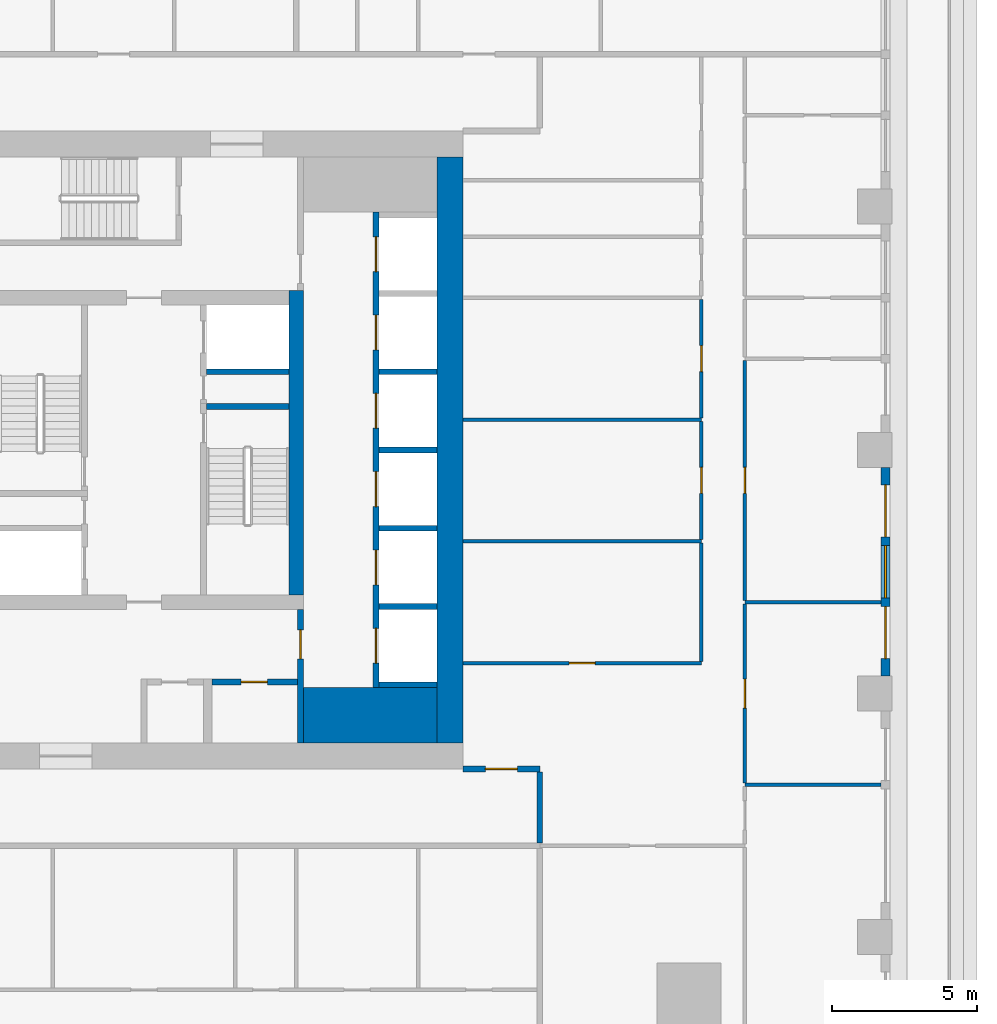
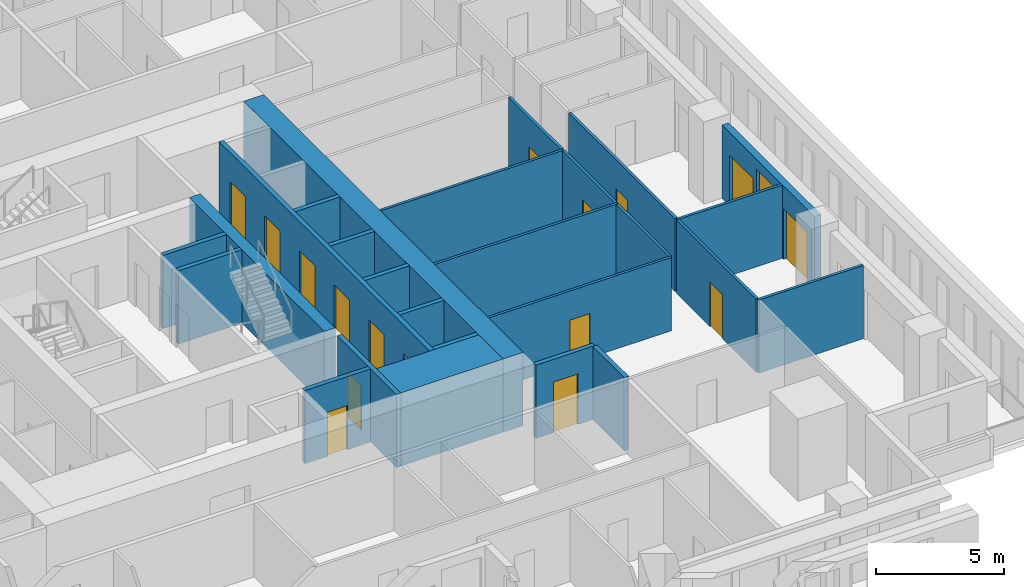
# One storey, part 6 of 16: 26 walls, 16 doors, 1 window, 17 openings.
"""IFC4 building model written with IfcOpenShell, lengths in metres."""

from ifc_helpers import new_model, si_unit, direction, frame, frame_2d, origin, place, context, subcontext, project, spatial, rectangle, extrude, material, layer, layer_set, type_object, element, fill, save


model = new_model("IFC4")

# Units and contexts
model_context = context("Model", 3, precision=1e-05, world=origin(), true_north=direction((0.0, 1.0)))
body_context = subcontext(model_context, "Body", "Model", "MODEL_VIEW")
ifc_project = project(units=[si_unit("LENGTHUNIT", "METRE"), si_unit("AREAUNIT", "SQUARE_METRE"), si_unit("VOLUMEUNIT", "CUBIC_METRE"), si_unit("PLANEANGLEUNIT", "RADIAN"), si_unit("MASSUNIT", "GRAM", prefix="KILO")], contexts=[model_context])

# Site, building, storey
site_placement = place(None, origin())
site = spatial("IfcSite", under=ifc_project, at=site_placement, CompositionType="ELEMENT")
building_placement = place(site_placement, origin())
building = spatial("IfcBuilding", under=site, at=building_placement, Name="Khepri Terraces", CompositionType="ELEMENT")
storey_placement = place(building_placement, frame((0.0, 0.0, 240.60009765625)))
storey = spatial("IfcBuildingStorey", under=building, at=storey_placement, Name="L57", CompositionType="ELEMENT", Elevation=240.60009765625)

# Walls
ifc_material_1 = material(Name="Concrete C40/50", Category="concrete")
ifc_layer_1 = layer(ifc_material_1, 1.89990234375, Name="Concrete C40/50", Category="concrete")
ifc_layer_set_1 = layer_set([ifc_layer_1], Name="Concrete C40/50")
wall_type_1 = type_object("IfcWallType", Name="Core wall 1900 C40/50", PredefinedType="SHEAR", material=ifc_layer_set_1)
wall_1_placement = place(storey_placement, frame((5.5, -9.14990234375, 0.0), z_axis=(0.0, 0.0, 1.0), x_axis=(1.0, 0.0, 0.0)))
element("IfcWall", 1, at=wall_1_placement, inside=storey, type_object=wall_type_1, Name="Core wall PR02 L57", PredefinedType="SHEAR", context=body_context, shape_type="SweptSolid", body=[
    extrude(rectangle(XDim=4.60009765625, YDim=1.89990234375, at=frame_2d((2.300048828125, 0.0))), origin(), (0.0, 0.0, 1.0), 3.47998046875),
])
ifc_layer_2 = layer(ifc_material_1, 0.199951171875, Name="Concrete C40/50", Category="concrete")
ifc_layer_set_2 = layer_set([ifc_layer_2], Name="Concrete C40/50")
wall_type_2 = type_object("IfcWallType", Name="Core wall 200 C40/50", PredefinedType="SHEAR", material=ifc_layer_set_2)
wall_2_placement = place(storey_placement, frame((2.14990234375, 1.5, 0.0), z_axis=(0.0, 0.0, 1.0), x_axis=(1.0, 0.0, 0.0)))
element("IfcWall", 2, at=wall_2_placement, inside=storey, type_object=wall_type_2, Name="Core wall ST04 L57", PredefinedType="SHEAR", context=body_context, shape_type="SweptSolid", body=[
    extrude(rectangle(XDim=2.85009765625, YDim=0.199951171875, at=frame_2d((1.425048828125, 0.0))), origin(), (0.0, 0.0, 1.0), 3.47998046875),
])

# Wall, openings, doors
wall_3_placement = place(storey_placement, frame((8.0, -8.199951171875, 0.0), z_axis=(0.0, 0.0, 1.0), x_axis=(0.0, 1.0, 0.0)))
wall_3 = element("IfcWall", 3, at=wall_3_placement, inside=storey, type_object=wall_type_2, Name="Core wall SH02 L57", PredefinedType="SHEAR", context=body_context, shape_type="SweptSolid", body=[
    extrude(rectangle(XDim=16.39990234375, YDim=0.199951171875, at=frame_2d((8.199951171875, 0.0))), origin(), (0.0, 0.0, 1.0), 3.47998046875),
])
opening_1_placement = place(wall_3_placement, frame((0.85009765625, 0.0, 0.0)))
opening_1 = element("IfcOpeningElement", 4, at=opening_1_placement, cuts=wall_3, Name="Opening L57-C01", PredefinedType="OPENING", context=body_context, shape_type="SweptSolid", body=[
    extrude(rectangle(XDim=1.199951171875, YDim=2.10009765625, at=frame_2d((0.60009765625, 1.050048828125))), frame((0.0, 0.10986328125, 0.0), z_axis=(0.0, -1.0, 0.0), x_axis=(1.0, 0.0, 0.0)), (0.0, 0.0, 1.0), 0.219970703125),
])
opening_2_placement = place(wall_3_placement, frame((3.550048828125, 0.0, 0.0)))
opening_2 = element("IfcOpeningElement", 5, at=opening_2_placement, cuts=wall_3, Name="Opening L57-C02", PredefinedType="OPENING", context=body_context, shape_type="SweptSolid", body=[
    extrude(rectangle(XDim=1.199951171875, YDim=2.10009765625, at=frame_2d((0.60009765625, 1.050048828125))), frame((0.0, 0.10986328125, 0.0), z_axis=(0.0, -1.0, 0.0), x_axis=(1.0, 0.0, 0.0)), (0.0, 0.0, 1.0), 0.219970703125),
])
opening_3_placement = place(wall_3_placement, frame((6.25, 0.0, 0.0)))
opening_3 = element("IfcOpeningElement", 6, at=opening_3_placement, cuts=wall_3, Name="Opening L57-C03", PredefinedType="OPENING", context=body_context, shape_type="SweptSolid", body=[
    extrude(rectangle(XDim=1.199951171875, YDim=2.10009765625, at=frame_2d((0.60009765625, 1.050048828125))), frame((0.0, 0.10986328125, 0.0), z_axis=(0.0, -1.0, 0.0), x_axis=(1.0, 0.0, 0.0)), (0.0, 0.0, 1.0), 0.219970703125),
])
opening_4_placement = place(wall_3_placement, frame((8.949951171875, 0.0, 0.0)))
opening_4 = element("IfcOpeningElement", 7, at=opening_4_placement, cuts=wall_3, Name="Opening L57-C04", PredefinedType="OPENING", context=body_context, shape_type="SweptSolid", body=[
    extrude(rectangle(XDim=1.199951171875, YDim=2.10009765625, at=frame_2d((0.60009765625, 1.050048828125))), frame((0.0, 0.10986328125, 0.0), z_axis=(0.0, -1.0, 0.0), x_axis=(1.0, 0.0, 0.0)), (0.0, 0.0, 1.0), 0.219970703125),
])
opening_5_placement = place(wall_3_placement, frame((11.64990234375, 0.0, 0.0)))
opening_5 = element("IfcOpeningElement", 8, at=opening_5_placement, cuts=wall_3, Name="Opening L57-C05", PredefinedType="OPENING", context=body_context, shape_type="SweptSolid", body=[
    extrude(rectangle(XDim=1.199951171875, YDim=2.10009765625, at=frame_2d((0.60009765625, 1.050048828125))), frame((0.0, 0.10986328125, 0.0), z_axis=(0.0, -1.0, 0.0), x_axis=(1.0, 0.0, 0.0)), (0.0, 0.0, 1.0), 0.219970703125),
])
opening_6_placement = place(wall_3_placement, frame((14.35009765625, 0.0, 0.0)))
opening_6 = element("IfcOpeningElement", 9, at=opening_6_placement, cuts=wall_3, Name="Opening L57-C06", PredefinedType="OPENING", context=body_context, shape_type="SweptSolid", body=[
    extrude(rectangle(XDim=1.199951171875, YDim=2.10009765625, at=frame_2d((0.60009765625, 1.050048828125))), frame((0.0, 0.10986328125, 0.0), z_axis=(0.0, -1.0, 0.0), x_axis=(1.0, 0.0, 0.0)), (0.0, 0.0, 1.0), 0.219970703125),
])
ifc_material_2 = material(Name="Stainless steel 304", Category="steel")
door_type_1 = type_object("IfcDoorType", Name="DR-CORE-LANDING-1200", OperationType="NOTDEFINED", PredefinedType="DOOR", material=ifc_material_2)
door_1_placement = place(opening_1_placement, origin())
door_1 = element("IfcDoor", 10, at=door_1_placement, inside=storey, type_object=door_type_1, Name="Lift landing door L57-C01", OperationType="SLIDING_TO_LEFT", OverallHeight=2.10009765625, OverallWidth=1.199951171875, PredefinedType="DOOR", context=body_context, shape_type="SweptSolid", body=[
    extrude(rectangle(XDim=1.199951171875, YDim=2.10009765625, at=frame_2d((0.60009765625, 1.050048828125))), frame((0.0, 0.02490234375, 0.0), z_axis=(0.0, -1.0, 0.0), x_axis=(1.0, 0.0, 0.0)), (0.0, 0.0, 1.0), 0.050048828125),
])
fill(opening_1, door_1)
door_2_placement = place(opening_2_placement, origin())
door_2 = element("IfcDoor", 11, at=door_2_placement, inside=storey, type_object=door_type_1, Name="Lift landing door L57-C02", OperationType="SLIDING_TO_LEFT", OverallHeight=2.10009765625, OverallWidth=1.199951171875, PredefinedType="DOOR", context=body_context, shape_type="SweptSolid", body=[
    extrude(rectangle(XDim=1.199951171875, YDim=2.10009765625, at=frame_2d((0.60009765625, 1.050048828125))), frame((0.0, 0.02490234375, 0.0), z_axis=(0.0, -1.0, 0.0), x_axis=(1.0, 0.0, 0.0)), (0.0, 0.0, 1.0), 0.050048828125),
])
fill(opening_2, door_2)
door_3_placement = place(opening_3_placement, origin())
door_3 = element("IfcDoor", 12, at=door_3_placement, inside=storey, type_object=door_type_1, Name="Lift landing door L57-C03", OperationType="SLIDING_TO_LEFT", OverallHeight=2.10009765625, OverallWidth=1.199951171875, PredefinedType="DOOR", context=body_context, shape_type="SweptSolid", body=[
    extrude(rectangle(XDim=1.199951171875, YDim=2.10009765625, at=frame_2d((0.60009765625, 1.050048828125))), frame((0.0, 0.02490234375, 0.0), z_axis=(0.0, -1.0, 0.0), x_axis=(1.0, 0.0, 0.0)), (0.0, 0.0, 1.0), 0.050048828125),
])
fill(opening_3, door_3)
door_4_placement = place(opening_4_placement, origin())
door_4 = element("IfcDoor", 13, at=door_4_placement, inside=storey, type_object=door_type_1, Name="Lift landing door L57-C04", OperationType="SLIDING_TO_LEFT", OverallHeight=2.10009765625, OverallWidth=1.199951171875, PredefinedType="DOOR", context=body_context, shape_type="SweptSolid", body=[
    extrude(rectangle(XDim=1.199951171875, YDim=2.10009765625, at=frame_2d((0.60009765625, 1.050048828125))), frame((0.0, 0.02490234375, 0.0), z_axis=(0.0, -1.0, 0.0), x_axis=(1.0, 0.0, 0.0)), (0.0, 0.0, 1.0), 0.050048828125),
])
fill(opening_4, door_4)
door_5_placement = place(opening_5_placement, origin())
door_5 = element("IfcDoor", 14, at=door_5_placement, inside=storey, type_object=door_type_1, Name="Lift landing door L57-C05", OperationType="SLIDING_TO_LEFT", OverallHeight=2.10009765625, OverallWidth=1.199951171875, PredefinedType="DOOR", context=body_context, shape_type="SweptSolid", body=[
    extrude(rectangle(XDim=1.199951171875, YDim=2.10009765625, at=frame_2d((0.60009765625, 1.050048828125))), frame((0.0, 0.02490234375, 0.0), z_axis=(0.0, -1.0, 0.0), x_axis=(1.0, 0.0, 0.0)), (0.0, 0.0, 1.0), 0.050048828125),
])
fill(opening_5, door_5)
door_6_placement = place(opening_6_placement, origin())
door_6 = element("IfcDoor", 15, at=door_6_placement, inside=storey, type_object=door_type_1, Name="Lift landing door L57-C06", OperationType="SLIDING_TO_LEFT", OverallHeight=2.10009765625, OverallWidth=1.199951171875, PredefinedType="DOOR", context=body_context, shape_type="SweptSolid", body=[
    extrude(rectangle(XDim=1.199951171875, YDim=2.10009765625, at=frame_2d((0.60009765625, 1.050048828125))), frame((0.0, 0.02490234375, 0.0), z_axis=(0.0, -1.0, 0.0), x_axis=(1.0, 0.0, 0.0)), (0.0, 0.0, 1.0), 0.050048828125),
])
fill(opening_6, door_6)

# Walls
for number, where, z_axis, x_axis, name in (
    (16, (8.10009765625, -8.10009765625, 0.0), (0.0, 0.0, 1.0), (1.0, 0.0, 0.0), "Core wall SH03 L57"),
    (17, (8.10009765625, -5.39990234375, 0.0), (0.0, 0.0, 1.0), (1.0, 0.0, 0.0), "Core wall SH04 L57"),
    (18, (8.10009765625, -2.699951171875, 0.0), (0.0, 0.0, 1.0), (1.0, 0.0, 0.0), "Core wall SH08 L57"),
    (19, (8.10009765625, 0.0, 0.0), (0.0, 0.0, 1.0), (1.0, 0.0, 0.0), "Core wall SH09 L57"),
):
    element("IfcWall", number, at=place(storey_placement, frame(where, z_axis=z_axis, x_axis=x_axis)), inside=storey, type_object=wall_type_2, Name=name, PredefinedType="SHEAR", context=body_context, shape_type="SweptSolid", body=[
        extrude(rectangle(XDim=2.0, YDim=0.199951171875, at=frame_2d((1.0, 0.0))), origin(), (0.0, 0.0, 1.0), 3.47998046875),
    ])
wall_4_placement = place(storey_placement, frame((2.14990234375, 2.699951171875, 0.0), z_axis=(0.0, 0.0, 1.0), x_axis=(1.0, 0.0, 0.0)))
element("IfcWall", 20, at=wall_4_placement, inside=storey, type_object=wall_type_2, Name="Core wall SH12 L57", PredefinedType="SHEAR", context=body_context, shape_type="SweptSolid", body=[
    extrude(rectangle(XDim=2.85009765625, YDim=0.199951171875, at=frame_2d((1.425048828125, 0.0))), origin(), (0.0, 0.0, 1.0), 3.47998046875),
])
wall_5_placement = place(storey_placement, frame((8.10009765625, 2.699951171875, 0.0), z_axis=(0.0, 0.0, 1.0), x_axis=(1.0, 0.0, 0.0)))
element("IfcWall", 21, at=wall_5_placement, inside=storey, type_object=wall_type_2, Name="Core wall SH13 L57", PredefinedType="SHEAR", context=body_context, shape_type="SweptSolid", body=[
    extrude(rectangle(XDim=2.0, YDim=0.199951171875, at=frame_2d((1.0, 0.0))), origin(), (0.0, 0.0, 1.0), 3.47998046875),
])
ifc_layer_3 = layer(ifc_material_1, 0.5, Name="Concrete C40/50", Category="concrete")
ifc_layer_set_3 = layer_set([ifc_layer_3], Name="Concrete C40/50")
wall_type_3 = type_object("IfcWallType", Name="Core wall 500 C40/50", PredefinedType="SHEAR", material=ifc_layer_set_3)
wall_6_placement = place(storey_placement, frame((5.25, -5.0, 0.0), z_axis=(0.0, 0.0, 1.0), x_axis=(0.0, 1.0, 0.0)))
element("IfcWall", 22, at=wall_6_placement, inside=storey, type_object=wall_type_3, Name="Core wall BX03 L57", PredefinedType="SHEAR", context=body_context, shape_type="SweptSolid", body=[
    extrude(rectangle(XDim=10.5, YDim=0.5, at=frame_2d((5.25, 0.0))), origin(), (0.0, 0.0, 1.0), 3.47998046875),
])
ifc_layer_4 = layer(ifc_material_1, 0.89990234375, Name="Concrete C40/50", Category="concrete")
ifc_layer_set_4 = layer_set([ifc_layer_4], Name="Concrete C40/50")
wall_type_4 = type_object("IfcWallType", Name="Core wall 900 C40/50", PredefinedType="SHEAR", material=ifc_layer_set_4)
wall_7_placement = place(storey_placement, frame((10.550048828125, -10.10009765625, 0.0), z_axis=(0.0, 0.0, 1.0), x_axis=(0.0, 1.0, 0.0)))
element("IfcWall", 23, at=wall_7_placement, inside=storey, type_object=wall_type_4, Name="Core wall OW-E L57", PredefinedType="SHEAR", context=body_context, shape_type="SweptSolid", body=[
    extrude(rectangle(XDim=20.2001953125, YDim=0.89990234375, at=frame_2d((10.10009765625, 0.0))), origin(), (0.0, 0.0, 1.0), 3.47998046875),
])

# Wall, opening, door
ifc_material_3 = material(Name="Fire-rated gypsum board partition")
ifc_layer_5 = layer(ifc_material_3, 0.199951171875, Name="Fire-rated gypsum board partition")
ifc_layer_set_5 = layer_set([ifc_layer_5], Name="Fire-rated gypsum board partition")
wall_type_5 = type_object("IfcWallType", Name="WL-CORE-PART-200", PredefinedType="PARTITIONING", material=ifc_layer_set_5)
wall_8_placement = place(storey_placement, frame((5.39990234375, -10.10009765625, 0.0), z_axis=(0.0, 0.0, 1.0), x_axis=(0.0, 1.0, 0.0)))
wall_8 = element("IfcWall", 24, at=wall_8_placement, inside=storey, type_object=wall_type_5, Name="Core partition PT04 L57", PredefinedType="PARTITIONING", context=body_context, shape_type="SweptSolid", body=[
    extrude(rectangle(XDim=4.60009765625, YDim=0.199951171875, at=frame_2d((2.300048828125, 0.0))), origin(), (0.0, 0.0, 1.0), 3.47998046875),
])
opening_7_placement = place(wall_8_placement, frame((2.89990234375, 0.0, 0.0)))
opening_7 = element("IfcOpeningElement", 25, at=opening_7_placement, cuts=wall_8, Name="Opening L57-C19", PredefinedType="OPENING", context=body_context, shape_type="SweptSolid", body=[
    extrude(rectangle(XDim=1.0, YDim=2.10009765625, at=frame_2d((0.5, 1.050048828125))), frame((0.0, 0.10986328125, 0.0), z_axis=(0.0, -1.0, 0.0), x_axis=(1.0, 0.0, 0.0)), (0.0, 0.0, 1.0), 0.219970703125),
])
ifc_material_4 = material(Name="Painted steel", Category="steel")
door_type_2 = type_object("IfcDoorType", Name="DR-CORE-LOBBY-1000", OperationType="NOTDEFINED", PredefinedType="DOOR", material=ifc_material_4)
door_7_placement = place(opening_7_placement, origin())
door_7 = element("IfcDoor", 26, at=door_7_placement, inside=storey, type_object=door_type_2, Name="Lobby door L57-C19", OperationType="SINGLE_SWING_RIGHT", OverallHeight=2.10009765625, OverallWidth=1.0, PredefinedType="DOOR", context=body_context, shape_type="SweptSolid", body=[
    extrude(rectangle(XDim=1.0, YDim=2.10009765625, at=frame_2d((0.5, 1.050048828125))), frame((0.0, 0.02490234375, 0.0), z_axis=(0.0, -1.0, 0.0), x_axis=(1.0, 0.0, 0.0)), (0.0, 0.0, 1.0), 0.050048828125),
])
fill(opening_7, door_7)

wall_9_placement = place(storey_placement, frame((2.35009765625, -8.0, 0.0), z_axis=(0.0, 0.0, 1.0), x_axis=(1.0, 0.0, 0.0)))
wall_9 = element("IfcWall", 27, at=wall_9_placement, inside=storey, type_object=wall_type_5, Name="Core partition PT07 L57", PredefinedType="PARTITIONING", context=body_context, shape_type="SweptSolid", body=[
    extrude(rectangle(XDim=2.949951171875, YDim=0.199951171875, at=frame_2d((1.47509765625, 0.0))), origin(), (0.0, 0.0, 1.0), 3.47998046875),
])
opening_8_placement = place(wall_9_placement, frame((1.0, 0.0, 0.0)))
opening_8 = element("IfcOpeningElement", 28, at=opening_8_placement, cuts=wall_9, Name="Opening L57-C23", PredefinedType="OPENING", context=body_context, shape_type="SweptSolid", body=[
    extrude(rectangle(XDim=0.89990234375, YDim=2.10009765625, at=frame_2d((0.449951171875, 1.050048828125))), frame((0.0, 0.10986328125, 0.0), z_axis=(0.0, -1.0, 0.0), x_axis=(1.0, 0.0, 0.0)), (0.0, 0.0, 1.0), 0.219970703125),
])
door_type_3 = type_object("IfcDoorType", Name="DR-CORE-SERVICE-900", OperationType="NOTDEFINED", PredefinedType="DOOR", material=ifc_material_4)
door_8_placement = place(opening_8_placement, frame((0.89990234375, 0.0, 0.0), z_axis=(0.0, 0.0, 1.0), x_axis=(-1.0, 0.0, 0.0)))
door_8 = element("IfcDoor", 29, at=door_8_placement, inside=storey, type_object=door_type_3, Name="Service room door L57-C23", OperationType="SINGLE_SWING_RIGHT", OverallHeight=2.10009765625, OverallWidth=0.89990234375, PredefinedType="DOOR", context=body_context, shape_type="SweptSolid", body=[
    extrude(rectangle(XDim=0.89990234375, YDim=2.10009765625, at=frame_2d((0.449951171875, 1.050048828125))), frame((0.0, 0.02490234375, 0.0), z_axis=(0.0, -1.0, 0.0), x_axis=(1.0, 0.0, 0.0)), (0.0, 0.0, 1.0), 0.050048828125),
])
fill(opening_8, door_8)

# Wall
ifc_material_5 = material(Name="Fire-rated gypsum plasterboard partition, mineral wool")
ifc_layer_6 = layer(ifc_material_5, 0.199951171875, Name="Fire-rated gypsum plasterboard partition, mineral wool")
ifc_layer_set_6 = layer_set([ifc_layer_6], Name="Fire-rated gypsum plasterboard partition, mineral wool")
wall_type_6 = type_object("IfcWallType", Name="WL-CORR-200", PredefinedType="PARTITIONING", material=ifc_layer_set_6)
wall_10_placement = place(storey_placement, frame((13.64990234375, -13.550048828125, 0.0), z_axis=(0.0, 0.0, 1.0), x_axis=(0.0, 1.0, 0.0)))
element("IfcWall", 30, at=wall_10_placement, inside=storey, type_object=wall_type_6, Name="Partition P-026 L57", PredefinedType="PARTITIONING", context=body_context, shape_type="SweptSolid", body=[
    extrude(rectangle(XDim=2.449951171875, YDim=0.199951171875, at=frame_2d((1.22509765625, 0.0))), origin(), (0.0, 0.0, 1.0), 3.47998046875),
])

# Wall, opening, door
wall_11_placement = place(storey_placement, frame((11.0, -11.0, 0.0), z_axis=(0.0, 0.0, 1.0), x_axis=(1.0, 0.0, 0.0)))
wall_11 = element("IfcWall", 31, at=wall_11_placement, inside=storey, type_object=wall_type_6, Name="Partition P-032 L57", PredefinedType="PARTITIONING", context=body_context, shape_type="SweptSolid", body=[
    extrude(rectangle(XDim=2.64990234375, YDim=0.199951171875, at=frame_2d((1.324951171875, 0.0))), origin(), (0.0, 0.0, 1.0), 3.47998046875),
])
opening_9_placement = place(wall_11_placement, frame((0.77490234375, 0.0, 0.0)))
opening_9 = element("IfcOpeningElement", 32, at=opening_9_placement, cuts=wall_11, Name="Opening D1", PredefinedType="OPENING", context=body_context, shape_type="SweptSolid", body=[
    extrude(rectangle(XDim=1.10009765625, YDim=2.39990234375, at=frame_2d((0.550048828125, 1.199951171875))), frame((0.0, 0.10986328125, 0.0), z_axis=(0.0, -1.0, 0.0), x_axis=(1.0, 0.0, 0.0)), (0.0, 0.0, 1.0), 0.219970703125),
])
ifc_material_6 = material(Name="Solid-core timber door leaf, flat entrance door", Category="wood")
door_type_4 = type_object("IfcDoorType", Name="DR-ENT-1100", OperationType="NOTDEFINED", PredefinedType="DOOR", material=ifc_material_6)
door_9_placement = place(opening_9_placement, origin())
door_9 = element("IfcDoor", 33, at=door_9_placement, inside=storey, type_object=door_type_4, Name="Flat B1 entrance door", OperationType="SINGLE_SWING_LEFT", OverallHeight=2.39990234375, OverallWidth=1.10009765625, PredefinedType="DOOR", context=body_context, shape_type="SweptSolid", body=[
    extrude(rectangle(XDim=1.10009765625, YDim=2.39990234375, at=frame_2d((0.550048828125, 1.199951171875))), frame((0.0, 0.02490234375, 0.0), z_axis=(0.0, -1.0, 0.0), x_axis=(1.0, 0.0, 0.0)), (0.0, 0.0, 1.0), 0.050048828125),
])
fill(opening_9, door_9)

# Wall, openings, doors, window
ifc_material_7 = material(Name="Precast concrete C50/60 warm stone", Category="masonry")
ifc_layer_7 = layer(ifc_material_7, 0.300048828125, Name="Precast concrete C50/60 warm stone", Category="masonry")
ifc_layer_set_7 = layer_set([ifc_layer_7], Name="Precast concrete C50/60 warm stone")
wall_type_7 = type_object("IfcWallType", Name="WL-EXT-PRECAST-300", PredefinedType="STANDARD", material=ifc_layer_set_7)
wall_12_placement = place(storey_placement, frame((25.570068359375, -7.800048828125, 0.0), z_axis=(0.0, 0.0, 1.0), x_axis=(0.0, 1.0, 0.0)))
wall_12 = element("IfcWall", 34, at=wall_12_placement, inside=storey, type_object=wall_type_7, Name="External wall L57 E", PredefinedType="STANDARD", context=body_context, shape_type="SweptSolid", body=[
    extrude(rectangle(XDim=7.199951171875, YDim=0.300048828125, at=frame_2d((3.60009765625, 0.0))), origin(), (0.0, 0.0, 1.0), 3.47998046875),
])
opening_10_placement = place(wall_12_placement, frame((0.60009765625, 0.0, 0.0)))
opening_10 = element("IfcOpeningElement", 35, at=opening_10_placement, cuts=wall_12, Name="Opening ED-L57-04", PredefinedType="OPENING", context=body_context, shape_type="SweptSolid", body=[
    extrude(rectangle(XDim=1.800048828125, YDim=2.39990234375, at=frame_2d((0.89990234375, 1.199951171875))), frame((0.0, 0.16015625, 0.0), z_axis=(0.0, -1.0, 0.0), x_axis=(1.0, 0.0, 0.0)), (0.0, 0.0, 1.0), 0.320068359375),
])
opening_11_placement = place(wall_12_placement, frame((2.699951171875, 0.0, 0.89990234375)))
opening_11 = element("IfcOpeningElement", 36, at=opening_11_placement, cuts=wall_12, Name="Opening W1", PredefinedType="OPENING", context=body_context, shape_type="SweptSolid", body=[
    extrude(rectangle(XDim=1.800048828125, YDim=2.10009765625, at=frame_2d((0.89990234375, 1.050048828125))), frame((0.0, 0.16015625, 0.0), z_axis=(0.0, -1.0, 0.0), x_axis=(1.0, 0.0, 0.0)), (0.0, 0.0, 1.0), 0.320068359375),
])
opening_12_placement = place(wall_12_placement, frame((4.800048828125, 0.0, 0.0)))
opening_12 = element("IfcOpeningElement", 37, at=opening_12_placement, cuts=wall_12, Name="Opening ED-L57-05", PredefinedType="OPENING", context=body_context, shape_type="SweptSolid", body=[
    extrude(rectangle(XDim=1.800048828125, YDim=2.39990234375, at=frame_2d((0.89990234375, 1.199951171875))), frame((0.0, 0.16015625, 0.0), z_axis=(0.0, -1.0, 0.0), x_axis=(1.0, 0.0, 0.0)), (0.0, 0.0, 1.0), 0.320068359375),
])
ifc_material_8 = material(Name="Anodised aluminium bronze glazed door", Category="aluminium")
door_type_5 = type_object("IfcDoorType", Name="DR-BAL-SLIDE-1800x2400", OperationType="NOTDEFINED", PredefinedType="DOOR", material=ifc_material_8)
door_10_placement = place(opening_10_placement, origin())
door_10 = element("IfcDoor", 38, at=door_10_placement, inside=storey, type_object=door_type_5, Name="Balcony door L57 E", OperationType="SLIDING_TO_LEFT", OverallHeight=2.39990234375, OverallWidth=1.800048828125, PredefinedType="DOOR", context=body_context, shape_type="SweptSolid", body=[
    extrude(rectangle(XDim=1.800048828125, YDim=2.39990234375, at=frame_2d((0.89990234375, 1.199951171875))), frame((0.0, 0.02490234375, 0.0), z_axis=(0.0, -1.0, 0.0), x_axis=(1.0, 0.0, 0.0)), (0.0, 0.0, 1.0), 0.050048828125),
])
fill(opening_10, door_10)
door_11_placement = place(opening_12_placement, origin())
door_11 = element("IfcDoor", 39, at=door_11_placement, inside=storey, type_object=door_type_5, Name="Balcony door L57 E", OperationType="SLIDING_TO_RIGHT", OverallHeight=2.39990234375, OverallWidth=1.800048828125, PredefinedType="DOOR", context=body_context, shape_type="SweptSolid", body=[
    extrude(rectangle(XDim=1.800048828125, YDim=2.39990234375, at=frame_2d((0.89990234375, 1.199951171875))), frame((0.0, 0.02490234375, 0.0), z_axis=(0.0, -1.0, 0.0), x_axis=(1.0, 0.0, 0.0)), (0.0, 0.0, 1.0), 0.050048828125),
])
fill(opening_12, door_11)
ifc_material_9 = material(Name="Clear glass", Category="glass")
window_type = type_object("IfcWindowType", Name="WIN-RES-1800x2100", PartitioningType="SINGLE_PANEL", PredefinedType="WINDOW", material=ifc_material_9)
window_placement = place(opening_11_placement, origin())
window = element("IfcWindow", 40, at=window_placement, inside=storey, type_object=window_type, Name="Window L57 E", OverallHeight=2.10009765625, OverallWidth=1.800048828125, PartitioningType="SINGLE_PANEL", PredefinedType="WINDOW", context=body_context, shape_type="SweptSolid", body=[
    extrude(rectangle(XDim=1.800048828125, YDim=2.10009765625, at=frame_2d((0.89990234375, 1.050048828125))), frame((0.0, 0.030029296875, 0.0), z_axis=(0.0, -1.0, 0.0), x_axis=(1.0, 0.0, 0.0)), (0.0, 0.0, 1.0), 0.06005859375),
])
fill(opening_11, window)

# Wall
ifc_material_10 = material(Name="Gypsum plasterboard partition")
ifc_layer_8 = layer(ifc_material_10, 0.1201171875, Name="Gypsum plasterboard partition")
ifc_layer_set_8 = layer_set([ifc_layer_8], Name="Gypsum plasterboard partition")
wall_type_8 = type_object("IfcWallType", Name="WL-PART-120", PredefinedType="PARTITIONING", material=ifc_layer_set_8)
wall_13_placement = place(storey_placement, frame((20.719970703125, -11.550048828125, 0.0), z_axis=(0.0, 0.0, 1.0), x_axis=(1.0, 0.0, 0.0)))
element("IfcWall", 41, at=wall_13_placement, inside=storey, type_object=wall_type_8, Name="Partition P-028 L57", PredefinedType="PARTITIONING", context=body_context, shape_type="SweptSolid", body=[
    extrude(rectangle(XDim=4.699951171875, YDim=0.1201171875, at=frame_2d((2.35009765625, 0.0))), origin(), (0.0, 0.0, 1.0), 3.47998046875),
])

# Wall, opening, door
wall_14_placement = place(storey_placement, frame((20.719970703125, -11.489990234375, 0.0), z_axis=(0.0, 0.0, 1.0), x_axis=(0.0, 1.0, 0.0)))
wall_14 = element("IfcWall", 42, at=wall_14_placement, inside=storey, type_object=wall_type_8, Name="Partition P-030 L57", PredefinedType="PARTITIONING", context=body_context, shape_type="SweptSolid", body=[
    extrude(rectangle(XDim=6.179931640625, YDim=0.1201171875, at=frame_2d((3.08984375, 0.0))), origin(), (0.0, 0.0, 1.0), 3.47998046875),
])
opening_13_placement = place(wall_14_placement, frame((2.590087890625, 0.0, 0.0)))
opening_13 = element("IfcOpeningElement", 43, at=opening_13_placement, cuts=wall_14, Name="Opening D2", PredefinedType="OPENING", context=body_context, shape_type="SweptSolid", body=[
    extrude(rectangle(XDim=1.0, YDim=2.10009765625, at=frame_2d((0.5, 1.050048828125))), frame((0.0, 0.070068359375, 0.0), z_axis=(0.0, -1.0, 0.0), x_axis=(1.0, 0.0, 0.0)), (0.0, 0.0, 1.0), 0.14013671875),
])
ifc_material_11 = material(Name="Timber door leaf, living room door", Category="wood")
door_type_6 = type_object("IfcDoorType", Name="DR-INT-1000", OperationType="NOTDEFINED", PredefinedType="DOOR", material=ifc_material_11)
door_12_placement = place(opening_13_placement, frame((1.0, 0.0, 0.0), z_axis=(0.0, 0.0, 1.0), x_axis=(-1.0, 0.0, 0.0)))
door_12 = element("IfcDoor", 44, at=door_12_placement, inside=storey, type_object=door_type_6, Name="Door Family Room", OperationType="SINGLE_SWING_RIGHT", OverallHeight=2.10009765625, OverallWidth=1.0, PredefinedType="DOOR", context=body_context, shape_type="SweptSolid", body=[
    extrude(rectangle(XDim=1.0, YDim=2.10009765625, at=frame_2d((0.5, 1.050048828125))), frame((0.0, 0.02490234375, 0.0), z_axis=(0.0, -1.0, 0.0), x_axis=(1.0, 0.0, 0.0)), (0.0, 0.0, 1.0), 0.050048828125),
])
fill(opening_13, door_12)

wall_15_placement = place(storey_placement, frame((11.0, -7.35009765625, 0.0), z_axis=(0.0, 0.0, 1.0), x_axis=(1.0, 0.0, 0.0)))
wall_15 = element("IfcWall", 45, at=wall_15_placement, inside=storey, type_object=wall_type_8, Name="Partition P-035 L57", PredefinedType="PARTITIONING", context=body_context, shape_type="SweptSolid", body=[
    extrude(rectangle(XDim=8.219970703125, YDim=0.1201171875, at=frame_2d((4.10986328125, 0.0))), origin(), (0.0, 0.0, 1.0), 3.47998046875),
])
opening_14_placement = place(wall_15_placement, frame((3.659912109375, 0.0, 0.0)))
opening_14 = element("IfcOpeningElement", 46, at=opening_14_placement, cuts=wall_15, Name="Opening D3", PredefinedType="OPENING", context=body_context, shape_type="SweptSolid", body=[
    extrude(rectangle(XDim=0.89990234375, YDim=2.10009765625, at=frame_2d((0.449951171875, 1.050048828125))), frame((0.0, 0.070068359375, 0.0), z_axis=(0.0, -1.0, 0.0), x_axis=(1.0, 0.0, 0.0)), (0.0, 0.0, 1.0), 0.14013671875),
])
ifc_material_12 = material(Name="Timber door leaf", Category="wood")
door_type_7 = type_object("IfcDoorType", Name="DR-INT-900", OperationType="NOTDEFINED", PredefinedType="DOOR", material=ifc_material_12)
door_13_placement = place(opening_14_placement, origin())
door_13 = element("IfcDoor", 47, at=door_13_placement, inside=storey, type_object=door_type_7, Name="Door Kitchen", OperationType="SINGLE_SWING_RIGHT", OverallHeight=2.10009765625, OverallWidth=0.89990234375, PredefinedType="DOOR", context=body_context, shape_type="SweptSolid", body=[
    extrude(rectangle(XDim=0.89990234375, YDim=2.10009765625, at=frame_2d((0.449951171875, 1.050048828125))), frame((0.0, 0.02490234375, 0.0), z_axis=(0.0, -1.0, 0.0), x_axis=(1.0, 0.0, 0.0)), (0.0, 0.0, 1.0), 0.050048828125),
])
fill(opening_14, door_13)

# Walls
wall_16_placement = place(storey_placement, frame((19.219970703125, -7.2900390625, 0.0), z_axis=(0.0, 0.0, 1.0), x_axis=(0.0, 1.0, 0.0)))
element("IfcWall", 48, at=wall_16_placement, inside=storey, type_object=wall_type_8, Name="Partition P-036 L57", PredefinedType="PARTITIONING", context=body_context, shape_type="SweptSolid", body=[
    extrude(rectangle(XDim=4.080078125, YDim=0.1201171875, at=frame_2d((2.0400390625, 0.0))), origin(), (0.0, 0.0, 1.0), 3.47998046875),
])
wall_17_placement = place(storey_placement, frame((20.719970703125, -5.25, 0.0), z_axis=(0.0, 0.0, 1.0), x_axis=(1.0, 0.0, 0.0)))
element("IfcWall", 49, at=wall_17_placement, inside=storey, type_object=wall_type_8, Name="Partition P-041 L57", PredefinedType="PARTITIONING", context=body_context, shape_type="SweptSolid", body=[
    extrude(rectangle(XDim=4.699951171875, YDim=0.1201171875, at=frame_2d((2.35009765625, 0.0))), origin(), (0.0, 0.0, 1.0), 3.47998046875),
])

# Wall, opening, door
wall_18_placement = place(storey_placement, frame((20.719970703125, -5.18994140625, 0.0), z_axis=(0.0, 0.0, 1.0), x_axis=(0.0, 1.0, 0.0)))
wall_18 = element("IfcWall", 50, at=wall_18_placement, inside=storey, type_object=wall_type_8, Name="Partition P-044 L57", PredefinedType="PARTITIONING", context=body_context, shape_type="SweptSolid", body=[
    extrude(rectangle(XDim=8.280029296875, YDim=0.1201171875, at=frame_2d((4.14013671875, 0.0))), origin(), (0.0, 0.0, 1.0), 3.47998046875),
])
opening_15_placement = place(wall_18_placement, frame((3.68994140625, 0.0, 0.0)))
opening_15 = element("IfcOpeningElement", 51, at=opening_15_placement, cuts=wall_18, Name="Opening D3", PredefinedType="OPENING", context=body_context, shape_type="SweptSolid", body=[
    extrude(rectangle(XDim=0.89990234375, YDim=2.10009765625, at=frame_2d((0.449951171875, 1.050048828125))), frame((0.0, 0.070068359375, 0.0), z_axis=(0.0, -1.0, 0.0), x_axis=(1.0, 0.0, 0.0)), (0.0, 0.0, 1.0), 0.14013671875),
])
door_14_placement = place(opening_15_placement, frame((0.89990234375, 0.0, 0.0), z_axis=(0.0, 0.0, 1.0), x_axis=(-1.0, 0.0, 0.0)))
door_14 = element("IfcDoor", 52, at=door_14_placement, inside=storey, type_object=door_type_7, Name="Door Master Bedroom", OperationType="SINGLE_SWING_LEFT", OverallHeight=2.10009765625, OverallWidth=0.89990234375, PredefinedType="DOOR", context=body_context, shape_type="SweptSolid", body=[
    extrude(rectangle(XDim=0.89990234375, YDim=2.10009765625, at=frame_2d((0.449951171875, 1.050048828125))), frame((0.0, 0.02490234375, 0.0), z_axis=(0.0, -1.0, 0.0), x_axis=(1.0, 0.0, 0.0)), (0.0, 0.0, 1.0), 0.050048828125),
])
fill(opening_15, door_14)

# Wall
wall_19_placement = place(storey_placement, frame((11.0, -3.14990234375, 0.0), z_axis=(0.0, 0.0, 1.0), x_axis=(1.0, 0.0, 0.0)))
element("IfcWall", 53, at=wall_19_placement, inside=storey, type_object=wall_type_8, Name="Partition P-046 L57", PredefinedType="PARTITIONING", context=body_context, shape_type="SweptSolid", body=[
    extrude(rectangle(XDim=8.219970703125, YDim=0.1201171875, at=frame_2d((4.10986328125, 0.0))), origin(), (0.0, 0.0, 1.0), 3.47998046875),
])

# Wall, opening, door
wall_20_placement = place(storey_placement, frame((19.219970703125, -3.090087890625, 0.0), z_axis=(0.0, 0.0, 1.0), x_axis=(0.0, 1.0, 0.0)))
wall_20 = element("IfcWall", 54, at=wall_20_placement, inside=storey, type_object=wall_type_8, Name="Partition P-048 L57", PredefinedType="PARTITIONING", context=body_context, shape_type="SweptSolid", body=[
    extrude(rectangle(XDim=4.080078125, YDim=0.1201171875, at=frame_2d((2.0400390625, 0.0))), origin(), (0.0, 0.0, 1.0), 3.47998046875),
])
opening_16_placement = place(wall_20_placement, frame((1.590087890625, 0.0, 0.0)))
opening_16 = element("IfcOpeningElement", 55, at=opening_16_placement, cuts=wall_20, Name="Opening D3", PredefinedType="OPENING", context=body_context, shape_type="SweptSolid", body=[
    extrude(rectangle(XDim=0.89990234375, YDim=2.10009765625, at=frame_2d((0.449951171875, 1.050048828125))), frame((0.0, 0.070068359375, 0.0), z_axis=(0.0, -1.0, 0.0), x_axis=(1.0, 0.0, 0.0)), (0.0, 0.0, 1.0), 0.14013671875),
])
door_15_placement = place(opening_16_placement, origin())
door_15 = element("IfcDoor", 56, at=door_15_placement, inside=storey, type_object=door_type_7, Name="Door Service Kitchen", OperationType="SINGLE_SWING_RIGHT", OverallHeight=2.10009765625, OverallWidth=0.89990234375, PredefinedType="DOOR", context=body_context, shape_type="SweptSolid", body=[
    extrude(rectangle(XDim=0.89990234375, YDim=2.10009765625, at=frame_2d((0.449951171875, 1.050048828125))), frame((0.0, 0.02490234375, 0.0), z_axis=(0.0, -1.0, 0.0), x_axis=(1.0, 0.0, 0.0)), (0.0, 0.0, 1.0), 0.050048828125),
])
fill(opening_16, door_15)

# Wall
wall_21_placement = place(storey_placement, frame((11.0, 1.050048828125, 0.0), z_axis=(0.0, 0.0, 1.0), x_axis=(1.0, 0.0, 0.0)))
element("IfcWall", 57, at=wall_21_placement, inside=storey, type_object=wall_type_8, Name="Partition P-052 L57", PredefinedType="PARTITIONING", context=body_context, shape_type="SweptSolid", body=[
    extrude(rectangle(XDim=8.219970703125, YDim=0.1201171875, at=frame_2d((4.10986328125, 0.0))), origin(), (0.0, 0.0, 1.0), 3.47998046875),
])

# Wall, opening, door
wall_22_placement = place(storey_placement, frame((19.219970703125, 1.110107421875, 0.0), z_axis=(0.0, 0.0, 1.0), x_axis=(0.0, 1.0, 0.0)))
wall_22 = element("IfcWall", 58, at=wall_22_placement, inside=storey, type_object=wall_type_8, Name="Partition P-054 L57", PredefinedType="PARTITIONING", context=body_context, shape_type="SweptSolid", body=[
    extrude(rectangle(XDim=4.079833984375, YDim=0.1201171875, at=frame_2d((2.0400390625, 0.0))), origin(), (0.0, 0.0, 1.0), 3.47998046875),
])
opening_17_placement = place(wall_22_placement, frame((1.590087890625, 0.0, 0.0)))
opening_17 = element("IfcOpeningElement", 59, at=opening_17_placement, cuts=wall_22, Name="Opening D3", PredefinedType="OPENING", context=body_context, shape_type="SweptSolid", body=[
    extrude(rectangle(XDim=0.89990234375, YDim=2.10009765625, at=frame_2d((0.449951171875, 1.050048828125))), frame((0.0, 0.070068359375, 0.0), z_axis=(0.0, -1.0, 0.0), x_axis=(1.0, 0.0, 0.0)), (0.0, 0.0, 1.0), 0.14013671875),
])
door_16_placement = place(opening_17_placement, origin())
door_16 = element("IfcDoor", 60, at=door_16_placement, inside=storey, type_object=door_type_7, Name="Door Staff Bedroom", OperationType="SINGLE_SWING_RIGHT", OverallHeight=2.10009765625, OverallWidth=0.89990234375, PredefinedType="DOOR", context=body_context, shape_type="SweptSolid", body=[
    extrude(rectangle(XDim=0.89990234375, YDim=2.10009765625, at=frame_2d((0.449951171875, 1.050048828125))), frame((0.0, 0.02490234375, 0.0), z_axis=(0.0, -1.0, 0.0), x_axis=(1.0, 0.0, 0.0)), (0.0, 0.0, 1.0), 0.050048828125),
])
fill(opening_17, door_16)

save(model, "model.ifc")
